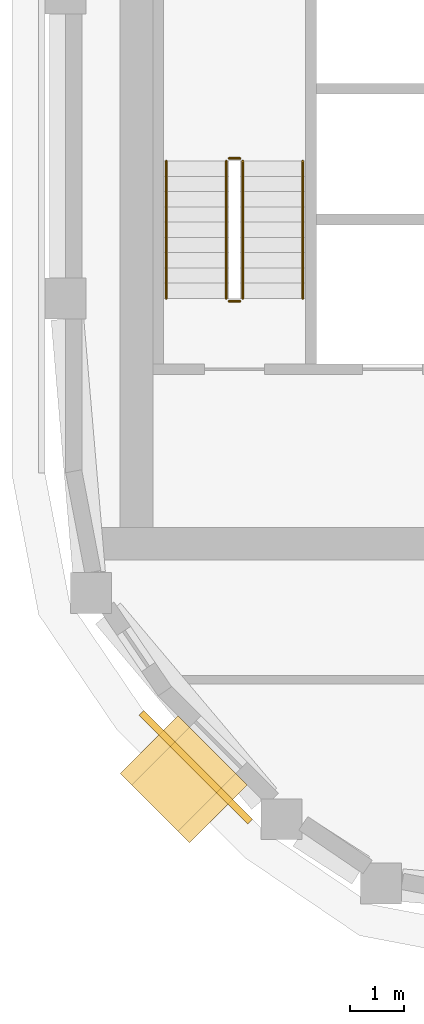
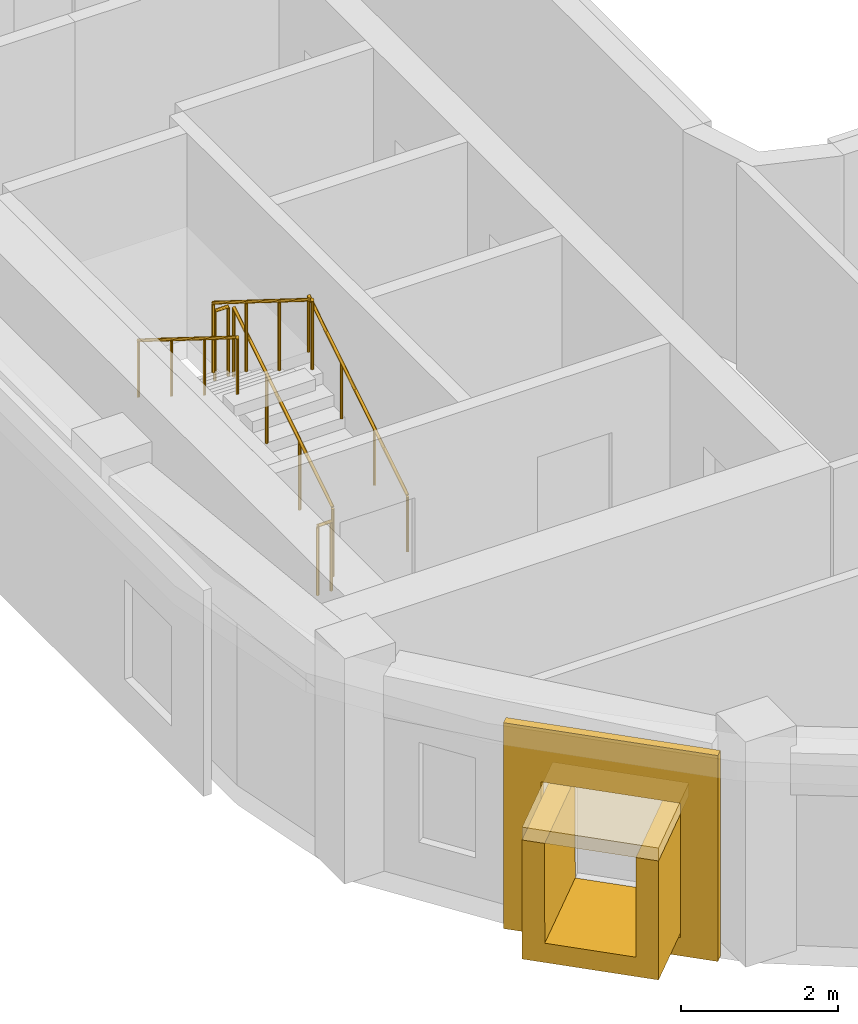
# One storey, part 10 of 16: 6 railings, 3 coverings.
"""IFC4 building model written with IfcOpenShell, lengths in metres."""

from ifc_helpers import new_model, si_unit, direction, frame, origin, origin_2d, place, context, subcontext, project, spatial, polyline, rectangle, circle, outline, extrude, material, layer, layer_set, type_object, element, save


model = new_model("IFC4")

# Units and contexts
model_context = context("Model", 3, precision=1e-05, world=origin(), true_north=direction((0.0, 1.0)))
body_context = subcontext(model_context, "Body", "Model", "MODEL_VIEW")
ifc_project = project(units=[si_unit("LENGTHUNIT", "METRE"), si_unit("AREAUNIT", "SQUARE_METRE"), si_unit("VOLUMEUNIT", "CUBIC_METRE"), si_unit("PLANEANGLEUNIT", "RADIAN"), si_unit("MASSUNIT", "GRAM", prefix="KILO")], contexts=[model_context])

# Site, building, storey
site_placement = place(None, origin())
site = spatial("IfcSite", under=ifc_project, at=site_placement, CompositionType="ELEMENT")
building_placement = place(site_placement, origin())
building = spatial("IfcBuilding", under=site, at=building_placement, Name="Kiln Ring Residences", CompositionType="ELEMENT")
storey_placement = place(building_placement, frame((0.0, 0.0, 276.699951171875)))
storey = spatial("IfcBuildingStorey", under=building, at=storey_placement, Name="L72", CompositionType="ELEMENT", Elevation=276.699951171875)

# Railings
ifc_material_1 = material(Name="Stainless steel", Category="steel")
railing_type_1 = type_object("IfcRailingType", Name="CORE-STAIR-GUARD", PredefinedType="GUARDRAIL", material=ifc_material_1)
railing_1_placement = place(storey_placement, frame((-21.949951171875, -8.39990234375, 0.175048828125)))
element("IfcRailing", 1, at=railing_1_placement, inside=storey, type_object=railing_type_1, Name="L72 W-STS stair guard 1", PredefinedType="GUARDRAIL", context=body_context, shape_type="SweptSolid", body=[
    extrude(circle(Radius=0.02392578125, at=origin_2d()), frame((0.0, 0.0, 1.076171875), z_axis=(0.0, 0.848007534815, 0.529984170421), x_axis=(-1.0, 0.0, 0.0)), (0.0, 0.0, 1.0), 2.9716796875),
    extrude(circle(Radius=0.02099609375, at=origin_2d()), origin(), (0.0, 0.0, 1.0), 1.052001953125),
    extrude(circle(Radius=0.02099609375, at=origin_2d()), frame((0.0, 0.840087890625, 0.52490234375)), (0.0, 0.0, 1.0), 1.052001953125),
    extrude(circle(Radius=0.02099609375, at=origin_2d()), frame((0.0, 1.679931640625, 1.050048828125)), (0.0, 0.0, 1.0), 1.052001953125),
    extrude(circle(Radius=0.02099609375, at=origin_2d()), frame((0.0, 2.52001953125, 1.574951171875)), (0.0, 0.0, 1.0), 1.052001953125),
])
railing_2_placement = place(storey_placement, frame((-22.0, -5.830078125, 1.75)))
element("IfcRailing", 2, at=railing_2_placement, inside=storey, type_object=railing_type_1, Name="L72 W-STS stair guard 2", PredefinedType="GUARDRAIL", context=body_context, shape_type="SweptSolid", body=[
    extrude(circle(Radius=0.02392578125, at=origin_2d()), frame((0.0, 0.0, 1.076171875), z_axis=(-1.0, 0.0, 0.0), x_axis=(0.0, -1.0, 0.0)), (0.0, 0.0, 1.0), 0.199951171875),
    extrude(circle(Radius=0.02099609375, at=origin_2d()), origin(), (0.0, 0.0, 1.0), 1.052001953125),
    extrude(circle(Radius=0.02099609375, at=origin_2d()), frame((-0.199951171875, 0.0, 0.0)), (0.0, 0.0, 1.0), 1.052001953125),
])
railing_3_placement = place(storey_placement, frame((-22.25, -5.8798828125, 1.925048828125)))
element("IfcRailing", 3, at=railing_3_placement, inside=storey, type_object=railing_type_1, Name="L72 W-STS stair guard 3", PredefinedType="GUARDRAIL", context=body_context, shape_type="SweptSolid", body=[
    extrude(circle(Radius=0.02392578125, at=origin_2d()), frame((0.0, 0.0, 1.076171875), z_axis=(0.0, -0.848007534815, 0.529984170421), x_axis=(1.0, 0.0, 0.0)), (0.0, 0.0, 1.0), 2.9716796875),
    extrude(circle(Radius=0.02099609375, at=origin_2d()), origin(), (0.0, 0.0, 1.0), 1.052001953125),
    extrude(circle(Radius=0.02099609375, at=origin_2d()), frame((0.0, -0.840087890625, 0.52490234375)), (0.0, 0.0, 1.0), 1.052001953125),
    extrude(circle(Radius=0.02099609375, at=origin_2d()), frame((0.0, -1.679931640625, 1.050048828125)), (0.0, 0.0, 1.0), 1.052001953125),
    extrude(circle(Radius=0.02099609375, at=origin_2d()), frame((0.0, -2.52001953125, 1.574951171875)), (0.0, 0.0, 1.0), 1.052001953125),
])
railing_4_placement = place(storey_placement, frame((-22.0, -8.449951171875, 0.0)))
element("IfcRailing", 4, at=railing_4_placement, inside=storey, type_object=railing_type_1, Name="L72 W-STS stair guard 4", PredefinedType="GUARDRAIL", context=body_context, shape_type="SweptSolid", body=[
    extrude(circle(Radius=0.02392578125, at=origin_2d()), frame((0.0, 0.0, 1.076171875), z_axis=(-1.0, 0.0, 0.0), x_axis=(0.0, -1.0, 0.0)), (0.0, 0.0, 1.0), 0.199951171875),
    extrude(circle(Radius=0.02099609375, at=origin_2d()), origin(), (0.0, 0.0, 1.0), 1.052001953125),
    extrude(circle(Radius=0.02099609375, at=origin_2d()), frame((-0.199951171875, 0.0, 0.0)), (0.0, 0.0, 1.0), 1.052001953125),
])
ifc_material_2 = material(Name="Stainless steel", Category="steel")
railing_type_2 = type_object("IfcRailingType", Name="CORE-STAIR-HANDRAIL", PredefinedType="HANDRAIL", material=ifc_material_2)
railing_5_placement = place(storey_placement, frame((-20.85009765625, -8.39990234375, 0.175048828125)))
element("IfcRailing", 5, at=railing_5_placement, inside=storey, type_object=railing_type_2, Name="L72 W-STS stair handrail 1", PredefinedType="HANDRAIL", context=body_context, shape_type="SweptSolid", body=[
    extrude(circle(Radius=0.02392578125, at=origin_2d()), frame((0.0, 0.0, 0.8759765625), z_axis=(0.0, 0.848007534815, 0.529984170421), x_axis=(-1.0, 0.0, 0.0)), (0.0, 0.0, 1.0), 2.9716796875),
    extrude(circle(Radius=0.02099609375, at=origin_2d()), origin(), (0.0, 0.0, 1.0), 0.851806640625),
    extrude(circle(Radius=0.02099609375, at=origin_2d()), frame((0.0, 0.840087890625, 0.52490234375)), (0.0, 0.0, 1.0), 0.851806640625),
    extrude(circle(Radius=0.02099609375, at=origin_2d()), frame((0.0, 1.679931640625, 1.050048828125)), (0.0, 0.0, 1.0), 0.851806640625),
    extrude(circle(Radius=0.02099609375, at=origin_2d()), frame((0.0, 2.52001953125, 1.574951171875)), (0.0, 0.0, 1.0), 0.851806640625),
])
railing_6_placement = place(storey_placement, frame((-23.35009765625, -5.8798828125, 1.925048828125)))
element("IfcRailing", 6, at=railing_6_placement, inside=storey, type_object=railing_type_2, Name="L72 W-STS stair handrail 2", PredefinedType="HANDRAIL", context=body_context, shape_type="SweptSolid", body=[
    extrude(circle(Radius=0.02392578125, at=origin_2d()), frame((0.0, 0.0, 0.8759765625), z_axis=(0.0, -0.848007534815, 0.529984170421), x_axis=(1.0, 0.0, 0.0)), (0.0, 0.0, 1.0), 2.9716796875),
    extrude(circle(Radius=0.02099609375, at=origin_2d()), origin(), (0.0, 0.0, 1.0), 0.851806640625),
    extrude(circle(Radius=0.02099609375, at=origin_2d()), frame((0.0, -0.840087890625, 0.52490234375)), (0.0, 0.0, 1.0), 0.851806640625),
    extrude(circle(Radius=0.02099609375, at=origin_2d()), frame((0.0, -1.679931640625, 1.050048828125)), (0.0, 0.0, 1.0), 0.851806640625),
    extrude(circle(Radius=0.02099609375, at=origin_2d()), frame((0.0, -2.52001953125, 1.574951171875)), (0.0, 0.0, 1.0), 0.851806640625),
])

# Coverings
ifc_material_3 = material(Name="Brick masonry, dark clay brick", Category="masonry")
ifc_layer_1 = layer(ifc_material_3, 0.300048828125)
ifc_layer_set_1 = layer_set([ifc_layer_1], Name="FRAME CHEEKS AND SILL 1500")
covering_type_1 = type_object("IfcCoveringType", Name="FRAME CHEEKS AND SILL 1500", PredefinedType="CLADDING", material=ifc_layer_set_1)
covering_1_placement = place(storey_placement, frame((-23.6708984375, -16.58984375, 0.300048828125), z_axis=(0.0, 0.0, 1.0), x_axis=(0.707106781187, -0.707106781187, 0.0)))
element("IfcCovering", 7, at=covering_1_placement, inside=storey, type_object=covering_type_1, Name="FRAME L72", PredefinedType="CLADDING", context=body_context, shape_type="SweptSolid", body=[
    extrude(outline(polyline([(0.0, 0.0), (1.7998046875, 0.0), (1.800048828125, 1.85009765625), (1.5009765625, 1.85009765625), (1.5, 0.300048828125), (0.300048828125, 0.300048828125), (0.299072265625, 1.85009765625), (0.0, 1.85009765625), (0.0, 0.0)])), frame((0.0, 0.75, 0.0), z_axis=(0.0, -1.0, 0.0), x_axis=(1.0, 0.0, 0.0)), (0.0, 0.0, 1.0), 1.5),
])
ifc_material_4 = material(Name="Brick masonry, dark clay brick", Category="masonry")
ifc_layer_2 = layer(ifc_material_4, 0.199951171875)
ifc_layer_set_2 = layer_set([ifc_layer_2], Name="FRAME HEAD 1500")
covering_type_2 = type_object("IfcCoveringType", Name="FRAME HEAD 1500", PredefinedType="CLADDING", material=ifc_layer_set_2)
covering_2_placement = place(storey_placement, frame((-23.034423828125, -17.22607421875, 2.14990234375), z_axis=(0.0, 0.0, 1.0), x_axis=(0.707106781187, -0.707106781187, 0.0)))
element("IfcCovering", 8, at=covering_2_placement, inside=storey, type_object=covering_type_2, Name="FRAME HEAD L72", PredefinedType="CLADDING", context=body_context, shape_type="SweptSolid", body=[
    extrude(rectangle(XDim=1.800048828125, YDim=1.5, at=origin_2d()), origin(), (0.0, 0.0, 1.0), 0.199951171875),
])
ifc_material_5 = material(Name="Brick masonry, dark clay brick", Category="masonry")
ifc_layer_3 = layer(ifc_material_5, 0.1201171875)
ifc_layer_set_3 = layer_set([ifc_layer_3], Name="RAINSCREEN PANEL 120")
covering_type_3 = type_object("IfcCoveringType", Name="RAINSCREEN PANEL 120", PredefinedType="CLADDING", material=ifc_layer_set_3)
covering_3_placement = place(storey_placement, frame((-23.810546875, -16.004638671875, 0.0), z_axis=(0.0, 0.0, 1.0), x_axis=(0.707106781187, -0.707106781187, 0.0)))
element("IfcCovering", 9, at=covering_3_placement, inside=storey, type_object=covering_type_3, Name="RAINSCREEN L72", PredefinedType="CLADDING", context=body_context, shape_type="SweptSolid", body=[
    extrude(outline(polyline([(0.0, 0.0), (2.824951171875, 0.0), (2.824951171875, 3.199951171875), (0.0, 3.199951171875), (0.0, 0.0)]), holes=[polyline([(0.492431640625, 2.3701171875), (0.492431640625, 0.280029296875), (2.33251953125, 0.280029296875), (2.33251953125, 2.3701171875), (0.492431640625, 2.3701171875)])]), frame((0.0, 0.06005859375, 0.0), z_axis=(0.0, -1.0, 0.0), x_axis=(1.0, 0.0, 0.0)), (0.0, 0.0, 1.0), 0.1201171875),
])

save(model, "model.ifc")
